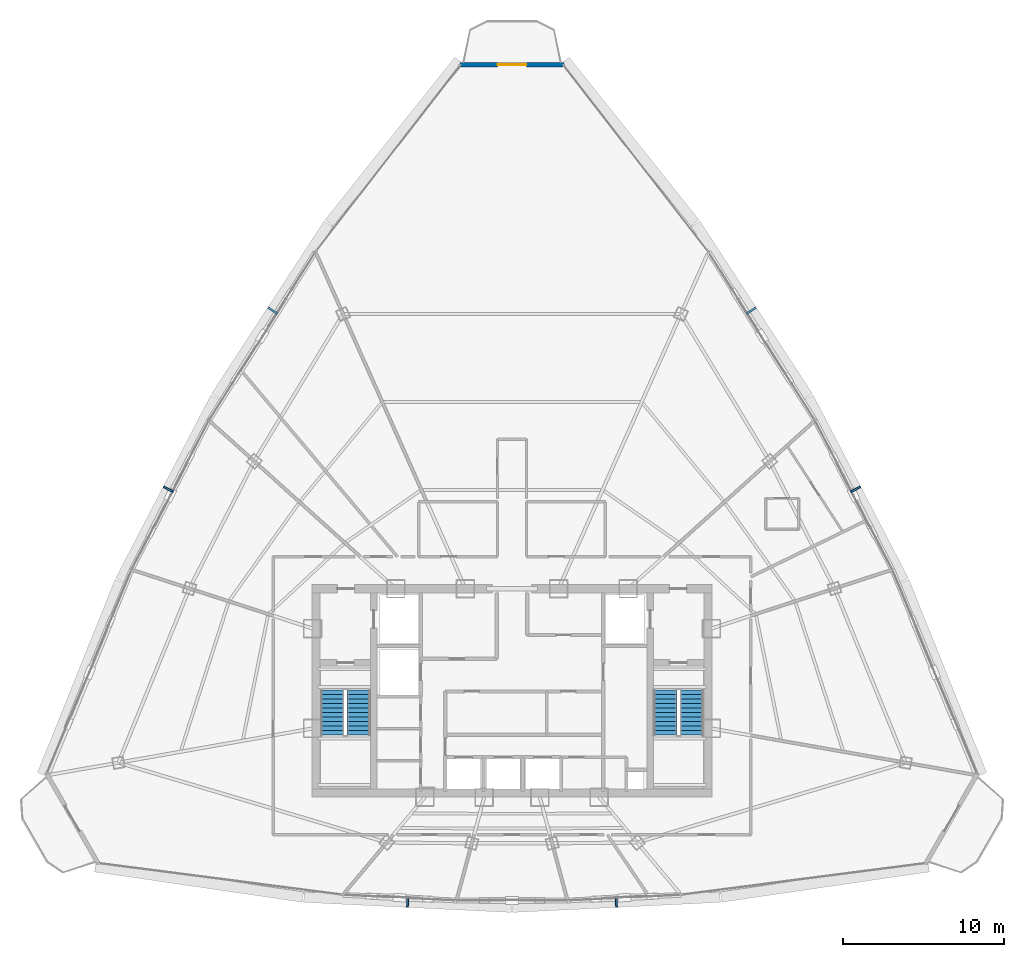
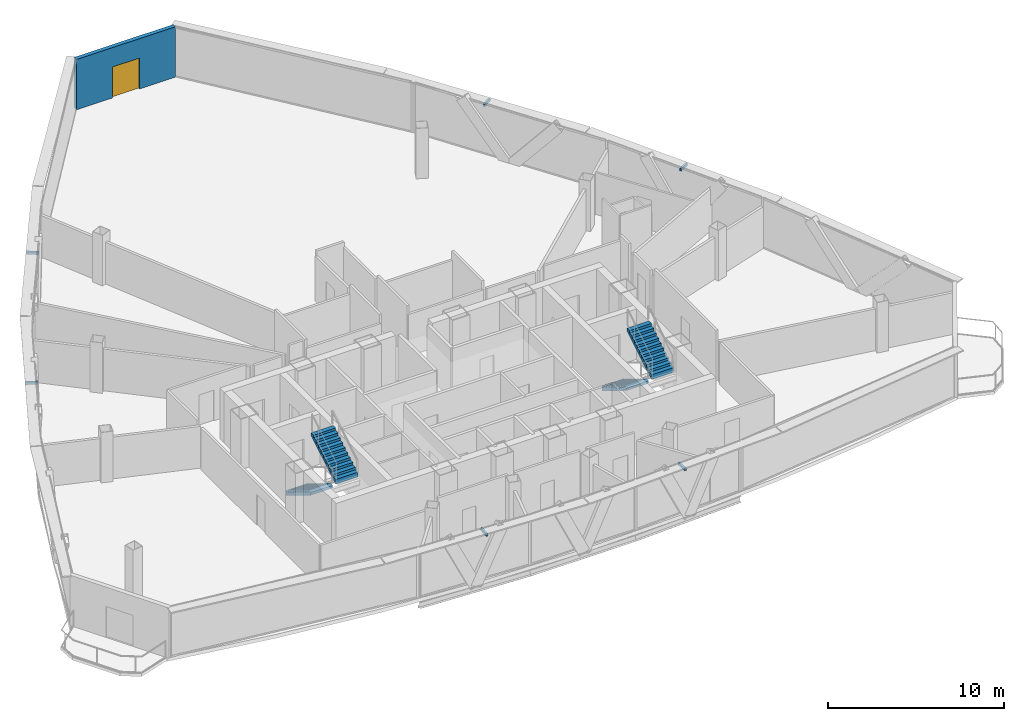
# One storey, part 30 of 33: 6 discrete accessories, 4 stair flights, 1 door, 1 wall, 1 opening, 2 elements without a shape of their own.
"""IFC4 building model written with IfcOpenShell, lengths in metres."""

from ifc_helpers import new_model, si_unit, direction, frame, frame_2d, origin, origin_with_axes, origin_2d, place, context, subcontext, project, spatial, polyline, rectangle, outline, extrude, source, transform, mapped, material, layer, layer_set, type_object, element, fill, aggregate, save


model = new_model("IFC4")

# Units and contexts
model_context = context("Model", 3, precision=1e-05, world=origin(), true_north=direction((0.0, 1.0)))
body_context = subcontext(model_context, "Body", "Model", "MODEL_VIEW")
ifc_project = project(units=[si_unit("LENGTHUNIT", "METRE"), si_unit("AREAUNIT", "SQUARE_METRE"), si_unit("VOLUMEUNIT", "CUBIC_METRE"), si_unit("PLANEANGLEUNIT", "RADIAN"), si_unit("MASSUNIT", "GRAM", prefix="KILO"), si_unit("THERMODYNAMICTEMPERATUREUNIT", "KELVIN"), si_unit("POWERUNIT", "WATT")], contexts=[model_context])

# Site, building, storey
site_placement = place(None, origin())
site = spatial("IfcSite", under=ifc_project, at=site_placement, CompositionType="ELEMENT")
building_placement = place(site_placement, origin())
building = spatial("IfcBuilding", under=site, at=building_placement, Name="Yunzhuo Pagoda Commons", CompositionType="ELEMENT")
storey_placement = place(building_placement, frame((0.0, 0.0, 329.260009765625)))
storey = spatial("IfcBuildingStorey", under=building, at=storey_placement, Name="L82", CompositionType="ELEMENT", Elevation=329.260009765625)

# Wall, opening, door
ifc_material_1 = material(Name="Precast concrete C40", Category="concrete")
ifc_layer = layer(ifc_material_1, 0.260009765625)
ifc_layer_set = layer_set([ifc_layer], Name="Precast concrete C40")
wall_type = type_object("IfcWallType", Name="W-BAL1 Corner Balcony Threshold Wall 260", PredefinedType="STANDARD", material=ifc_layer_set)
wall_placement = place(storey_placement, frame((51.243408203125, 72.783203125, 0.0), z_axis=(0.0, 0.0, 1.0), x_axis=(-1.0, 0.0, 0.0)))
wall = element("IfcWall", 1, at=wall_placement, inside=storey, type_object=wall_type, Name="L82 corner balcony wall V3", PredefinedType="STANDARD", context=body_context, shape_type="SweptSolid", body=[
    extrude(rectangle(XDim=6.48681640625, YDim=0.260009765625, at=frame_2d((3.243408203125, 0.0))), origin(), (0.0, 0.0, 1.0), 3.489990234375),
])
opening_placement = place(wall_placement, frame((2.343505859375, 0.0, 0.0)))
opening = element("IfcOpeningElement", 2, at=opening_placement, cuts=wall, Name="Opening D-BAL1", PredefinedType="OPENING", context=body_context, shape_type="SweptSolid", body=[
    extrude(rectangle(XDim=1.800048828125, YDim=2.14990234375, at=frame_2d((0.89990234375, 1.074951171875))), frame((0.0, 0.14013671875, 0.0), z_axis=(0.0, -1.0, 0.0), x_axis=(1.0, 0.0, 0.0)), (0.0, 0.0, 1.0), 0.280029296875),
])
ifc_material_2 = material(Name="Anodized aluminium frame and tempered glazed leaf", Category="aluminium")
door_type = type_object("IfcDoorType", Name="D-BAL1 Corner Balcony Sliding Glazed Door 1800x2150", OperationType="DOUBLE_DOOR_SLIDING", PredefinedType="DOOR", material=ifc_material_2)
shared_shape_1 = source(origin(), body_context, "Body", "SweptSolid", [
    extrude(rectangle(XDim=1.800048828125, YDim=2.14990234375, at=frame_2d((0.89990234375, 1.074951171875))), frame((0.0, 0.02490234375, 0.0), z_axis=(0.0, -1.0, 0.0), x_axis=(1.0, 0.0, 0.0)), (0.0, 0.0, 1.0), 0.050048828125),
])
door_placement = place(opening_placement, origin_with_axes())
door = element("IfcDoor", 3, at=door_placement, inside=storey, type_object=door_type, Name="L82 corner balcony sliding door V3", OperationType="DOUBLE_DOOR_SLIDING", OverallHeight=2.14990234375, OverallWidth=1.800048828125, PredefinedType="DOOR", context=body_context, shape_type="MappedRepresentation", body=[
    mapped(shared_shape_1, transform((0.0, 0.0, 0.0), scale=1.0)),
])
fill(opening, door)

# Stair, stair flights
ifc_material_3 = material(Name="Concrete C40", Category="concrete")
stair_type_1 = type_object("IfcStairType", Name="ST-C1 Core Smokeproof Stair ST1", PredefinedType="HALF_TURN_STAIR", material=ifc_material_3)
stair_1_placement = place(storey_placement, origin())
stair_1 = element("IfcStair", 4, at=stair_1_placement, inside=storey, type_object=stair_type_1, Name="L82 Core smokeproof stair ST1", PredefinedType="HALF_TURN_STAIR")
stair_flight_type_1 = type_object("IfcStairFlightType", Name="STF-C1 Core Stair Flight 1450", PredefinedType="STRAIGHT", material=ifc_material_3)
shared_shape_2 = source(origin(), body_context, "Body", "SweptSolid", [
    extrude(outline(polyline([(0.0, -0.14990234375), (0.0, 0.0), (0.0, 0.17041015625), (0.280029296875, 0.17041015625), (0.280029296875, 0.3408203125), (0.56005859375, 0.3408203125), (0.56005859375, 0.511474609375), (0.840087890625, 0.511474609375), (0.840087890625, 0.681884765625), (1.1201171875, 0.681884765625), (1.1201171875, 0.852294921875), (1.39990234375, 0.852294921875), (1.39990234375, 1.022705078125), (1.679931640625, 1.022705078125), (1.679931640625, 1.193115234375), (1.9599609375, 1.193115234375), (1.9599609375, 1.363525390625), (2.239990234375, 1.363525390625), (2.239990234375, 1.5341796875), (2.52001953125, 1.5341796875), (2.52001953125, 1.70458984375), (2.800048828125, 1.70458984375), (2.800048828125, 1.875), (2.800048828125, 1.529052734375), (0.288330078125, 0.0), (0.050048828125, -0.14990234375), (0.0, -0.14990234375)])), frame((0.0, 0.72509765625, 0.0), z_axis=(0.0, -1.0, 0.0), x_axis=(1.0, 0.0, 0.0)), (0.0, 0.0, 1.0), 1.449951171875),
])
stair_flight_1_placement = place(storey_placement, frame((36.824951171875, 33.89990234375, 0.0), z_axis=(0.0, 0.0, 1.0), x_axis=(0.0, -1.0, 0.0)))
stair_flight_1 = element("IfcStairFlight", 5, at=stair_flight_1_placement, type_object=stair_flight_type_1, Name="ST1 flight 1", NumberOfRisers=11, NumberOfTreads=10, PredefinedType="STRAIGHT", RiserHeight=0.170454545, TreadLength=0.28, context=body_context, shape_type="MappedRepresentation", body=[
    mapped(shared_shape_2, transform((0.0, 0.0, 0.0), scale=1.0)),
])
stair_flight_2_placement = place(storey_placement, frame((38.47509765625, 31.10009765625, 1.875), z_axis=(0.0, 0.0, 1.0), x_axis=(0.0, 1.0, 0.0)))
stair_flight_2 = element("IfcStairFlight", 6, at=stair_flight_2_placement, type_object=stair_flight_type_1, Name="ST1 flight 2", NumberOfRisers=11, NumberOfTreads=10, PredefinedType="STRAIGHT", RiserHeight=0.170454545, TreadLength=0.28, context=body_context, shape_type="MappedRepresentation", body=[
    mapped(shared_shape_2, transform((0.0, 0.0, 0.0), scale=1.0)),
])
aggregate(stair_1, [stair_flight_1, stair_flight_2])

stair_type_2 = type_object("IfcStairType", Name="ST-C2 Core Smokeproof Stair ST2", PredefinedType="HALF_TURN_STAIR", material=ifc_material_3)
stair_2_placement = place(storey_placement, origin())
stair_2 = element("IfcStair", 7, at=stair_2_placement, inside=storey, type_object=stair_type_2, Name="L82 Core smokeproof stair ST2", PredefinedType="HALF_TURN_STAIR")
stair_flight_type_2 = type_object("IfcStairFlightType", Name="STF-C2 Core Stair Flight 1460", PredefinedType="STRAIGHT", material=ifc_material_3)
stair_flight_3_placement = place(storey_placement, frame((57.52490234375, 33.89990234375, 0.0), z_axis=(0.0, 0.0, 1.0), x_axis=(0.0, -1.0, 0.0)))
stair_flight_3 = element("IfcStairFlight", 8, at=stair_flight_3_placement, type_object=stair_flight_type_2, Name="ST2 flight 1", NumberOfRisers=11, NumberOfTreads=10, PredefinedType="STRAIGHT", RiserHeight=0.170454545, TreadLength=0.28, context=body_context, shape_type="MappedRepresentation", body=[
    mapped(shared_shape_2, transform((0.0, 0.0, 0.0), scale=1.0)),
])
stair_flight_4_placement = place(storey_placement, frame((59.175048828125, 31.10009765625, 1.875), z_axis=(0.0, 0.0, 1.0), x_axis=(0.0, 1.0, 0.0)))
stair_flight_4 = element("IfcStairFlight", 9, at=stair_flight_4_placement, type_object=stair_flight_type_2, Name="ST2 flight 2", NumberOfRisers=11, NumberOfTreads=10, PredefinedType="STRAIGHT", RiserHeight=0.170454545, TreadLength=0.28, context=body_context, shape_type="MappedRepresentation", body=[
    mapped(shared_shape_2, transform((0.0, 0.0, 0.0), scale=1.0)),
])
aggregate(stair_2, [stair_flight_3, stair_flight_4])

# Discrete accessories
ifc_material_4 = material(Name="Anodized aluminium 6063-T6", Category="aluminium")
discrete_accessory_type = type_object("IfcDiscreteAccessoryType", Name="BK-SUN1 Sunshade Outrigger Bracket", PredefinedType="BRACKET", material=ifc_material_4)
shared_shape_3 = source(origin(), body_context, "Body", "SweptSolid", [
    extrude(rectangle(XDim=0.1201171875, YDim=0.679931640625, at=origin_2d()), origin(), (0.0, 0.0, 1.0), 0.179931640625),
])
for number, where, z_axis, x_axis, name in (
    (10, (41.515380859375, 20.7509765625, 3.27978515625), (0.0, 0.0, 1.0), (0.998818043775, -0.04860571396, 0.0), "L82 sunshade outrigger bracket F1.2"),
    (11, (54.484619140625, 20.7509765625, 3.27978515625), (0.0, 0.0, 1.0), (0.998818043775, 0.04860571396, 0.0), "L82 sunshade outrigger bracket F1.3"),
    (12, (69.363037109375, 46.38671875, 3.27978515625), (0.0, 0.0, 1.0), (-0.461206683033, 0.88729273384, 0.0), "L82 sunshade outrigger bracket F2.2"),
    (13, (62.87841796875, 57.49609375, 3.27978515625), (0.0, 0.0, 1.0), (-0.545853380833, 0.837880711458, 0.0), "L82 sunshade outrigger bracket F2.3"),
    (14, (33.12158203125, 57.49609375, 3.27978515625), (0.0, 0.0, 1.0), (-0.545853380833, -0.837880711458, 0.0), "L82 sunshade outrigger bracket F3.2"),
    (15, (26.636962890625, 46.38671875, 3.27978515625), (0.0, 0.0, 1.0), (-0.461206683033, -0.88729273384, 0.0), "L82 sunshade outrigger bracket F3.3"),
):
    element("IfcDiscreteAccessory", number, at=place(storey_placement, frame(where, z_axis=z_axis, x_axis=x_axis)), inside=storey, type_object=discrete_accessory_type, Name=name, PredefinedType="BRACKET", context=body_context, shape_type="MappedRepresentation", body=[
        mapped(shared_shape_3, transform((0.0, 0.0, 0.0), scale=1.0)),
    ])

save(model, "model.ifc")
